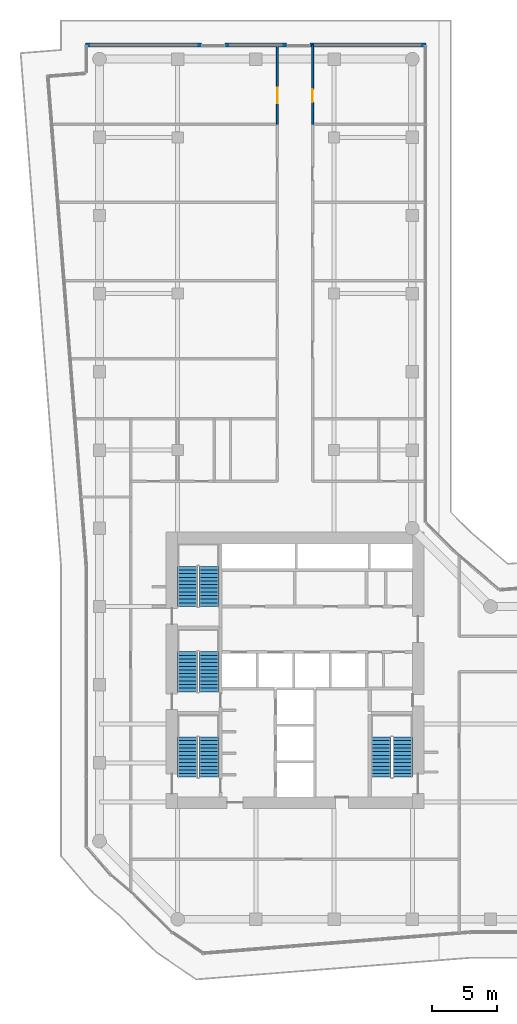
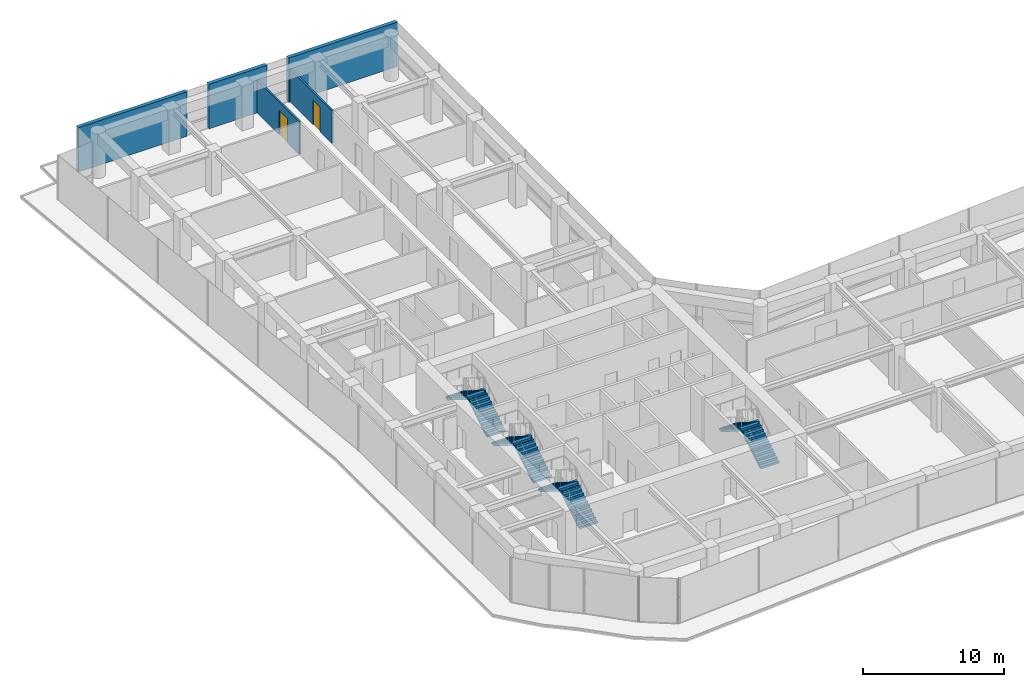
# One storey, part 26 of 28: 8 stair flights, 5 walls, 2 doors, 2 openings, 4 elements without a shape of their own.
"""IFC4 building model written with IfcOpenShell, lengths in metres."""

from ifc_helpers import new_model, si_unit, direction, frame, frame_2d, origin, place, context, subcontext, project, spatial, polyline, rectangle, outline, extrude, material, layer, layer_set, type_object, element, fill, aggregate, save


model = new_model("IFC4")

# Units and contexts
model_context = context("Model", 3, precision=1e-05, world=origin(), true_north=direction((0.0, 1.0)))
body_context = subcontext(model_context, "Body", "Model", "MODEL_VIEW")
ifc_project = project(units=[si_unit("LENGTHUNIT", "METRE"), si_unit("AREAUNIT", "SQUARE_METRE"), si_unit("VOLUMEUNIT", "CUBIC_METRE"), si_unit("PLANEANGLEUNIT", "RADIAN"), si_unit("MASSUNIT", "GRAM", prefix="KILO")], contexts=[model_context])

# Site, building, storey
site_placement = place(None, origin())
site = spatial("IfcSite", under=ifc_project, at=site_placement, CompositionType="ELEMENT")
building_placement = place(site_placement, origin())
building = spatial("IfcBuilding", under=site, at=building_placement, Name="Welwitschia Terrace Campus", CompositionType="ELEMENT")
storey_placement = place(building_placement, frame((0.0, 0.0, 71.0)))
storey = spatial("IfcBuildingStorey", under=building, at=storey_placement, Name="L16", CompositionType="ELEMENT", Elevation=71.0)

# Wall, opening, door
ifc_material_1 = material(Name="Gypsum board on steel studs", Category="steel")
ifc_layer_1 = layer(ifc_material_1, 0.14990234375)
ifc_layer_set_1 = layer_set([ifc_layer_1], Name="Gypsum board on steel studs")
wall_type_1 = type_object("IfcWallType", Name="Corridor partition 150 EI 30", PredefinedType="PARTITIONING", material=ifc_layer_set_1)
wall_1_placement = place(storey_placement, frame((13.64990234375, 57.0, 0.0), z_axis=(0.0, 0.0, 1.0), x_axis=(0.0, 1.0, 0.0)))
wall_1 = element("IfcWall", 1, at=wall_1_placement, inside=storey, type_object=wall_type_1, Name="Partition", PredefinedType="PARTITIONING", context=body_context, shape_type="SweptSolid", body=[
    extrude(rectangle(XDim=6.117919921875, YDim=0.14990234375, at=frame_2d((3.05908203125, 0.0))), origin(), (0.0, 0.0, 1.0), 2.830078125),
])
opening_1_placement = place(wall_1_placement, frame((1.610107421875, 0.0, 0.0)))
opening_1 = element("IfcOpeningElement", 2, at=opening_1_placement, cuts=wall_1, Name="Opening DI12", PredefinedType="OPENING", context=body_context, shape_type="SweptSolid", body=[
    extrude(rectangle(XDim=1.199951171875, YDim=2.10009765625, at=frame_2d((0.60009765625, 1.050048828125))), frame((0.0, 0.0849609375, 0.0), z_axis=(0.0, -1.0, 0.0), x_axis=(1.0, 0.0, 0.0)), (0.0, 0.0, 1.0), 0.169921875),
])
ifc_material_2 = material(Name="Timber veneered door", Category="wood")
door_type_1 = type_object("IfcDoorType", Name="Interior door DI12", OperationType="NOTDEFINED", PredefinedType="DOOR", material=ifc_material_2)
door_1_placement = place(opening_1_placement, origin())
door_1 = element("IfcDoor", 3, at=door_1_placement, inside=storey, type_object=door_type_1, Name="Door L16 367", OperationType="SINGLE_SWING_RIGHT", OverallHeight=2.10009765625, OverallWidth=1.199951171875, PredefinedType="DOOR", context=body_context, shape_type="SweptSolid", body=[
    extrude(rectangle(XDim=1.199951171875, YDim=2.10009765625, at=frame_2d((0.60009765625, 1.050048828125))), frame((0.0, 0.02490234375, 0.0), z_axis=(0.0, -1.0, 0.0), x_axis=(1.0, 0.0, 0.0)), (0.0, 0.0, 1.0), 0.050048828125),
])
fill(opening_1, door_1)

wall_2_placement = place(storey_placement, frame((16.35009765625, 63.117919921875, 0.0), z_axis=(0.0, 0.0, 1.0), x_axis=(0.0, -1.0, 0.0)))
wall_2 = element("IfcWall", 4, at=wall_2_placement, inside=storey, type_object=wall_type_1, Name="Partition", PredefinedType="PARTITIONING", context=body_context, shape_type="SweptSolid", body=[
    extrude(rectangle(XDim=6.117919921875, YDim=0.14990234375, at=frame_2d((3.05908203125, 0.0))), origin(), (0.0, 0.0, 1.0), 2.830078125),
])
opening_2_placement = place(wall_2_placement, frame((3.41796875, 0.0, 0.0)))
opening_2 = element("IfcOpeningElement", 5, at=opening_2_placement, cuts=wall_2, Name="Opening DI10", PredefinedType="OPENING", context=body_context, shape_type="SweptSolid", body=[
    extrude(rectangle(XDim=1.0, YDim=2.10009765625, at=frame_2d((0.5, 1.050048828125))), frame((0.0, 0.0849609375, 0.0), z_axis=(0.0, -1.0, 0.0), x_axis=(1.0, 0.0, 0.0)), (0.0, 0.0, 1.0), 0.169921875),
])
ifc_material_3 = material(Name="Timber veneered door", Category="wood")
door_type_2 = type_object("IfcDoorType", Name="Interior door DI10", OperationType="NOTDEFINED", PredefinedType="DOOR", material=ifc_material_3)
door_2_placement = place(opening_2_placement, origin())
door_2 = element("IfcDoor", 6, at=door_2_placement, inside=storey, type_object=door_type_2, Name="Door L16 371", OperationType="SINGLE_SWING_RIGHT", OverallHeight=2.10009765625, OverallWidth=1.0, PredefinedType="DOOR", context=body_context, shape_type="SweptSolid", body=[
    extrude(rectangle(XDim=1.0, YDim=2.10009765625, at=frame_2d((0.5, 1.050048828125))), frame((0.0, 0.02490234375, 0.0), z_axis=(0.0, -1.0, 0.0), x_axis=(1.0, 0.0, 0.0)), (0.0, 0.0, 1.0), 0.050048828125),
])
fill(opening_2, door_2)

# Walls
ifc_material_4 = material(Name="Concrete C40/50", Category="concrete")
ifc_layer_2 = layer(ifc_material_4, 0.300048828125)
ifc_layer_set_2 = layer_set([ifc_layer_2], Name="Concrete C40/50")
wall_type_2 = type_object("IfcWallType", Name="Mass wall 300", PredefinedType="SOLIDWALL", material=ifc_layer_set_2)
wall_3_placement = place(storey_placement, frame((25.05810546875, 63.07373046875, 0.0), z_axis=(0.0, 0.0, 1.0), x_axis=(-1.0, 0.0, 0.0)))
element("IfcWall", 7, at=wall_3_placement, inside=storey, type_object=wall_type_2, Name="Mass wall L16.15.0", PredefinedType="SOLIDWALL", context=body_context, shape_type="SweptSolid", body=[
    extrude(rectangle(XDim=8.8935546875, YDim=0.300048828125, at=frame_2d((4.44677734375, 0.0))), origin(), (0.0, 0.0, 1.0), 3.85009765625),
])
wall_4_placement = place(storey_placement, frame((14.364501953125, 63.080078125, 0.0), z_axis=(0.0, 0.0, 1.0), x_axis=(-1.0, 0.0, 0.0)))
element("IfcWall", 8, at=wall_4_placement, inside=storey, type_object=wall_type_2, Name="Mass wall L16.15.1", PredefinedType="SOLIDWALL", context=body_context, shape_type="SweptSolid", body=[
    extrude(rectangle(XDim=4.72900390625, YDim=0.300048828125, at=frame_2d((2.364501953125, 0.0))), origin(), (0.0, 0.0, 1.0), 3.85009765625),
])
wall_5_placement = place(storey_placement, frame((7.83544921875, 63.07373046875, 0.0), z_axis=(0.0, 0.0, 1.0), x_axis=(-1.0, 0.0, 0.0)))
element("IfcWall", 9, at=wall_5_placement, inside=storey, type_object=wall_type_2, Name="Mass wall L16.15.2", PredefinedType="SOLIDWALL", context=body_context, shape_type="SweptSolid", body=[
    extrude(rectangle(XDim=8.8935546875, YDim=0.300048828125, at=frame_2d((4.44677734375, 0.0))), origin(), (0.0, 0.0, 1.0), 3.85009765625),
])

# Stair, stair flights
ifc_material_5 = material(Name="Concrete C40/50", Category="concrete")
stair_type = type_object("IfcStairType", Name="Stair 24R 175 W1500", PredefinedType="HALF_TURN_STAIR", material=ifc_material_5)
stair_1_placement = place(storey_placement, origin())
stair_1 = element("IfcStair", 10, at=stair_1_placement, inside=storey, type_object=stair_type, Name="L16 Exit stair S1", PredefinedType="HALF_TURN_STAIR")
ifc_material_6 = material(Name="Concrete C40/50", Category="concrete")
stair_flight_type = type_object("IfcStairFlightType", Name="Stair flight 24R 175 W1500", PredefinedType="STRAIGHT", material=ifc_material_6)
stair_flight_1_placement = place(storey_placement, frame((8.39990234375, 6.89990234375, 0.0), z_axis=(0.0, 0.0, 1.0), x_axis=(0.0, 1.0, 0.0)))
stair_flight_1 = element("IfcStairFlight", 11, at=stair_flight_1_placement, type_object=stair_flight_type, Name="S1 flight 1", NumberOfRisers=12, NumberOfTreads=11, PredefinedType="STRAIGHT", RiserHeight=0.175, TreadLength=0.28, context=body_context, shape_type="SweptSolid", body=[
    extrude(outline(polyline([(0.0, 0.0), (0.0, 0.175048828125), (0.280029296875, 0.175048828125), (0.280029296875, 0.35009765625), (0.56005859375, 0.35009765625), (0.56005859375, 0.52490234375), (0.840087890625, 0.52490234375), (0.840087890625, 0.699951171875), (1.1201171875, 0.699951171875), (1.1201171875, 0.875), (1.39990234375, 0.875), (1.39990234375, 1.050048828125), (1.679931640625, 1.050048828125), (1.679931640625, 1.22509765625), (1.9599609375, 1.22509765625), (1.9599609375, 1.39990234375), (2.239990234375, 1.39990234375), (2.239990234375, 1.574951171875), (2.52001953125, 1.574951171875), (2.52001953125, 1.75), (2.800048828125, 1.75), (2.800048828125, 1.925048828125), (3.080078125, 1.925048828125), (3.080078125, 2.10009765625), (3.080078125, 1.748291015625), (0.28271484375, 0.0), (0.0, 0.0)])), frame((0.0, 0.75, 0.0), z_axis=(0.0, -1.0, 0.0), x_axis=(1.0, 0.0, 0.0)), (0.0, 0.0, 1.0), 1.5),
])
stair_flight_2_placement = place(storey_placement, frame((6.75, 9.97998046875, 2.10009765625), z_axis=(0.0, 0.0, 1.0), x_axis=(0.0, -1.0, 0.0)))
stair_flight_2 = element("IfcStairFlight", 12, at=stair_flight_2_placement, type_object=stair_flight_type, Name="S1 flight 2", NumberOfRisers=12, NumberOfTreads=11, PredefinedType="STRAIGHT", RiserHeight=0.175, TreadLength=0.28, context=body_context, shape_type="SweptSolid", body=[
    extrude(outline(polyline([(0.0, 0.0), (0.0, 0.175048828125), (0.280029296875, 0.175048828125), (0.280029296875, 0.35009765625), (0.56005859375, 0.35009765625), (0.56005859375, 0.52490234375), (0.840087890625, 0.52490234375), (0.840087890625, 0.699951171875), (1.1201171875, 0.699951171875), (1.1201171875, 0.875), (1.39990234375, 0.875), (1.39990234375, 1.050048828125), (1.679931640625, 1.050048828125), (1.679931640625, 1.22509765625), (1.9599609375, 1.22509765625), (1.9599609375, 1.39990234375), (2.239990234375, 1.39990234375), (2.239990234375, 1.574951171875), (2.52001953125, 1.574951171875), (2.52001953125, 1.75), (2.800048828125, 1.75), (2.800048828125, 1.925048828125), (3.080078125, 1.925048828125), (3.080078125, 2.10009765625), (3.080078125, 1.748291015625), (0.28271484375, 0.0), (0.0, 0.0)])), frame((0.0, 0.75, 0.0), z_axis=(0.0, -1.0, 0.0), x_axis=(1.0, 0.0, 0.0)), (0.0, 0.0, 1.0), 1.5),
])
aggregate(stair_1, [stair_flight_1, stair_flight_2])

stair_2_placement = place(storey_placement, origin())
stair_2 = element("IfcStair", 13, at=stair_2_placement, inside=storey, type_object=stair_type, Name="L16 Exit stair S3", PredefinedType="HALF_TURN_STAIR")
stair_flight_3_placement = place(storey_placement, frame((8.39990234375, 13.449951171875, 0.0), z_axis=(0.0, 0.0, 1.0), x_axis=(0.0, 1.0, 0.0)))
stair_flight_3 = element("IfcStairFlight", 14, at=stair_flight_3_placement, type_object=stair_flight_type, Name="S3 flight 1", NumberOfRisers=12, NumberOfTreads=11, PredefinedType="STRAIGHT", RiserHeight=0.175, TreadLength=0.28, context=body_context, shape_type="SweptSolid", body=[
    extrude(outline(polyline([(0.0, 0.0), (0.0, 0.175048828125), (0.280029296875, 0.175048828125), (0.280029296875, 0.35009765625), (0.56005859375, 0.35009765625), (0.56005859375, 0.52490234375), (0.840087890625, 0.52490234375), (0.840087890625, 0.699951171875), (1.1201171875, 0.699951171875), (1.1201171875, 0.875), (1.39990234375, 0.875), (1.39990234375, 1.050048828125), (1.679931640625, 1.050048828125), (1.679931640625, 1.22509765625), (1.9599609375, 1.22509765625), (1.9599609375, 1.39990234375), (2.239990234375, 1.39990234375), (2.239990234375, 1.574951171875), (2.52001953125, 1.574951171875), (2.52001953125, 1.75), (2.800048828125, 1.75), (2.800048828125, 1.925048828125), (3.080078125, 1.925048828125), (3.080078125, 2.10009765625), (3.080078125, 1.748291015625), (0.28271484375, 0.0), (0.0, 0.0)])), frame((0.0, 0.75, 0.0), z_axis=(0.0, -1.0, 0.0), x_axis=(1.0, 0.0, 0.0)), (0.0, 0.0, 1.0), 1.5),
])
stair_flight_4_placement = place(storey_placement, frame((6.75, 16.530029296875, 2.10009765625), z_axis=(0.0, 0.0, 1.0), x_axis=(0.0, -1.0, 0.0)))
stair_flight_4 = element("IfcStairFlight", 15, at=stair_flight_4_placement, type_object=stair_flight_type, Name="S3 flight 2", NumberOfRisers=12, NumberOfTreads=11, PredefinedType="STRAIGHT", RiserHeight=0.175, TreadLength=0.28, context=body_context, shape_type="SweptSolid", body=[
    extrude(outline(polyline([(0.0, 0.0), (0.0, 0.175048828125), (0.280029296875, 0.175048828125), (0.280029296875, 0.35009765625), (0.56005859375, 0.35009765625), (0.56005859375, 0.52490234375), (0.840087890625, 0.52490234375), (0.840087890625, 0.699951171875), (1.1201171875, 0.699951171875), (1.1201171875, 0.875), (1.39990234375, 0.875), (1.39990234375, 1.050048828125), (1.679931640625, 1.050048828125), (1.679931640625, 1.22509765625), (1.9599609375, 1.22509765625), (1.9599609375, 1.39990234375), (2.239990234375, 1.39990234375), (2.239990234375, 1.574951171875), (2.52001953125, 1.574951171875), (2.52001953125, 1.75), (2.800048828125, 1.75), (2.800048828125, 1.925048828125), (3.080078125, 1.925048828125), (3.080078125, 2.10009765625), (3.080078125, 1.748291015625), (0.28271484375, 0.0), (0.0, 0.0)])), frame((0.0, 0.75, 0.0), z_axis=(0.0, -1.0, 0.0), x_axis=(1.0, 0.0, 0.0)), (0.0, 0.0, 1.0), 1.5),
])
aggregate(stair_2, [stair_flight_3, stair_flight_4])

stair_3_placement = place(storey_placement, origin())
stair_3 = element("IfcStair", 16, at=stair_3_placement, inside=storey, type_object=stair_type, Name="L16 Exit stair S4", PredefinedType="HALF_TURN_STAIR")
stair_flight_5_placement = place(storey_placement, frame((8.39990234375, 20.0, 0.0), z_axis=(0.0, 0.0, 1.0), x_axis=(0.0, 1.0, 0.0)))
stair_flight_5 = element("IfcStairFlight", 17, at=stair_flight_5_placement, type_object=stair_flight_type, Name="S4 flight 1", NumberOfRisers=12, NumberOfTreads=11, PredefinedType="STRAIGHT", RiserHeight=0.175, TreadLength=0.28, context=body_context, shape_type="SweptSolid", body=[
    extrude(outline(polyline([(0.0, 0.0), (0.0, 0.175048828125), (0.280029296875, 0.175048828125), (0.280029296875, 0.35009765625), (0.56005859375, 0.35009765625), (0.56005859375, 0.52490234375), (0.840087890625, 0.52490234375), (0.840087890625, 0.699951171875), (1.1201171875, 0.699951171875), (1.1201171875, 0.875), (1.39990234375, 0.875), (1.39990234375, 1.050048828125), (1.679931640625, 1.050048828125), (1.679931640625, 1.22509765625), (1.9599609375, 1.22509765625), (1.9599609375, 1.39990234375), (2.239990234375, 1.39990234375), (2.239990234375, 1.574951171875), (2.52001953125, 1.574951171875), (2.52001953125, 1.75), (2.800048828125, 1.75), (2.800048828125, 1.925048828125), (3.080078125, 1.925048828125), (3.080078125, 2.10009765625), (3.080078125, 1.748291015625), (0.28271484375, 0.0), (0.0, 0.0)])), frame((0.0, 0.75, 0.0), z_axis=(0.0, -1.0, 0.0), x_axis=(1.0, 0.0, 0.0)), (0.0, 0.0, 1.0), 1.5),
])
stair_flight_6_placement = place(storey_placement, frame((6.75, 23.080078125, 2.10009765625), z_axis=(0.0, 0.0, 1.0), x_axis=(0.0, -1.0, 0.0)))
stair_flight_6 = element("IfcStairFlight", 18, at=stair_flight_6_placement, type_object=stair_flight_type, Name="S4 flight 2", NumberOfRisers=12, NumberOfTreads=11, PredefinedType="STRAIGHT", RiserHeight=0.175, TreadLength=0.28, context=body_context, shape_type="SweptSolid", body=[
    extrude(outline(polyline([(0.0, 0.0), (0.0, 0.175048828125), (0.280029296875, 0.175048828125), (0.280029296875, 0.35009765625), (0.56005859375, 0.35009765625), (0.56005859375, 0.52490234375), (0.840087890625, 0.52490234375), (0.840087890625, 0.699951171875), (1.1201171875, 0.699951171875), (1.1201171875, 0.875), (1.39990234375, 0.875), (1.39990234375, 1.050048828125), (1.679931640625, 1.050048828125), (1.679931640625, 1.22509765625), (1.9599609375, 1.22509765625), (1.9599609375, 1.39990234375), (2.239990234375, 1.39990234375), (2.239990234375, 1.574951171875), (2.52001953125, 1.574951171875), (2.52001953125, 1.75), (2.800048828125, 1.75), (2.800048828125, 1.925048828125), (3.080078125, 1.925048828125), (3.080078125, 2.10009765625), (3.080078125, 1.748291015625), (0.28271484375, 0.0), (0.0, 0.0)])), frame((0.0, 0.75, 0.0), z_axis=(0.0, -1.0, 0.0), x_axis=(1.0, 0.0, 0.0)), (0.0, 0.0, 1.0), 1.5),
])
aggregate(stair_3, [stair_flight_5, stair_flight_6])

stair_4_placement = place(storey_placement, origin())
stair_4 = element("IfcStair", 19, at=stair_4_placement, inside=storey, type_object=stair_type, Name="L16 Exit stair S2", PredefinedType="HALF_TURN_STAIR")
stair_flight_7_placement = place(storey_placement, frame((23.25, 6.89990234375, 0.0), z_axis=(0.0, 0.0, 1.0), x_axis=(0.0, 1.0, 0.0)))
stair_flight_7 = element("IfcStairFlight", 20, at=stair_flight_7_placement, type_object=stair_flight_type, Name="S2 flight 1", NumberOfRisers=12, NumberOfTreads=11, PredefinedType="STRAIGHT", RiserHeight=0.175, TreadLength=0.28, context=body_context, shape_type="SweptSolid", body=[
    extrude(outline(polyline([(0.0, 0.0), (0.0, 0.175048828125), (0.280029296875, 0.175048828125), (0.280029296875, 0.35009765625), (0.56005859375, 0.35009765625), (0.56005859375, 0.52490234375), (0.840087890625, 0.52490234375), (0.840087890625, 0.699951171875), (1.1201171875, 0.699951171875), (1.1201171875, 0.875), (1.39990234375, 0.875), (1.39990234375, 1.050048828125), (1.679931640625, 1.050048828125), (1.679931640625, 1.22509765625), (1.9599609375, 1.22509765625), (1.9599609375, 1.39990234375), (2.239990234375, 1.39990234375), (2.239990234375, 1.574951171875), (2.52001953125, 1.574951171875), (2.52001953125, 1.75), (2.800048828125, 1.75), (2.800048828125, 1.925048828125), (3.080078125, 1.925048828125), (3.080078125, 2.10009765625), (3.080078125, 1.748291015625), (0.28271484375, 0.0), (0.0, 0.0)])), frame((0.0, 0.75, 0.0), z_axis=(0.0, -1.0, 0.0), x_axis=(1.0, 0.0, 0.0)), (0.0, 0.0, 1.0), 1.5),
])
stair_flight_8_placement = place(storey_placement, frame((21.60009765625, 9.97998046875, 2.10009765625), z_axis=(0.0, 0.0, 1.0), x_axis=(0.0, -1.0, 0.0)))
stair_flight_8 = element("IfcStairFlight", 21, at=stair_flight_8_placement, type_object=stair_flight_type, Name="S2 flight 2", NumberOfRisers=12, NumberOfTreads=11, PredefinedType="STRAIGHT", RiserHeight=0.175, TreadLength=0.28, context=body_context, shape_type="SweptSolid", body=[
    extrude(outline(polyline([(0.0, 0.0), (0.0, 0.175048828125), (0.280029296875, 0.175048828125), (0.280029296875, 0.35009765625), (0.56005859375, 0.35009765625), (0.56005859375, 0.52490234375), (0.840087890625, 0.52490234375), (0.840087890625, 0.699951171875), (1.1201171875, 0.699951171875), (1.1201171875, 0.875), (1.39990234375, 0.875), (1.39990234375, 1.050048828125), (1.679931640625, 1.050048828125), (1.679931640625, 1.22509765625), (1.9599609375, 1.22509765625), (1.9599609375, 1.39990234375), (2.239990234375, 1.39990234375), (2.239990234375, 1.574951171875), (2.52001953125, 1.574951171875), (2.52001953125, 1.75), (2.800048828125, 1.75), (2.800048828125, 1.925048828125), (3.080078125, 1.925048828125), (3.080078125, 2.10009765625), (3.080078125, 1.748291015625), (0.28271484375, 0.0), (0.0, 0.0)])), frame((0.0, 0.75, 0.0), z_axis=(0.0, -1.0, 0.0), x_axis=(1.0, 0.0, 0.0)), (0.0, 0.0, 1.0), 1.5),
])
aggregate(stair_4, [stair_flight_7, stair_flight_8])

save(model, "model.ifc")
